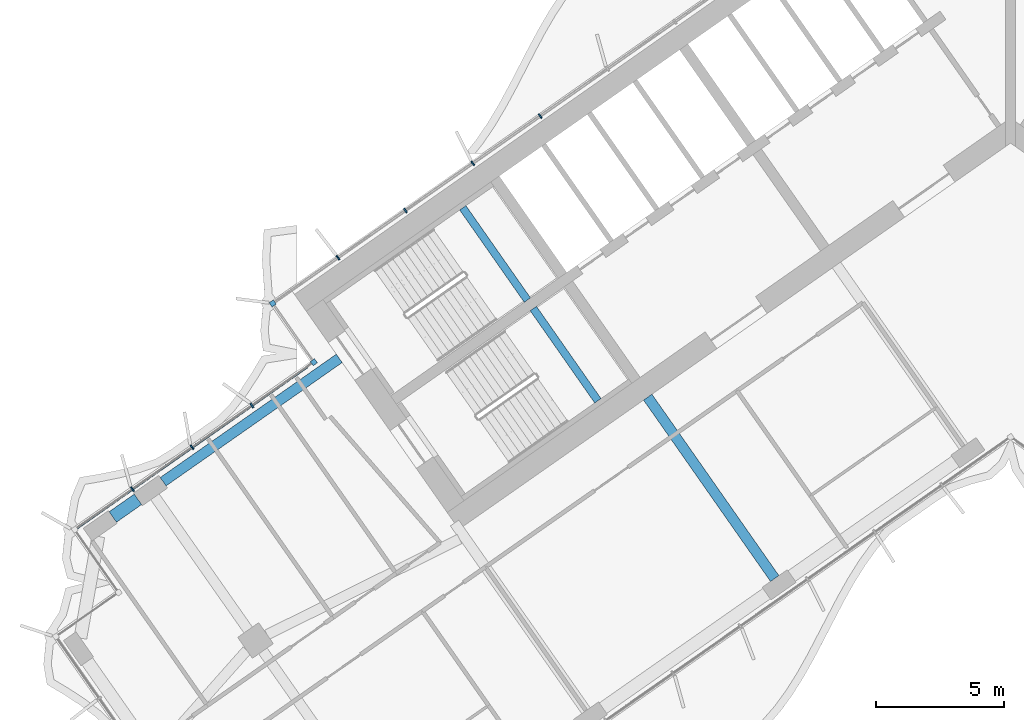
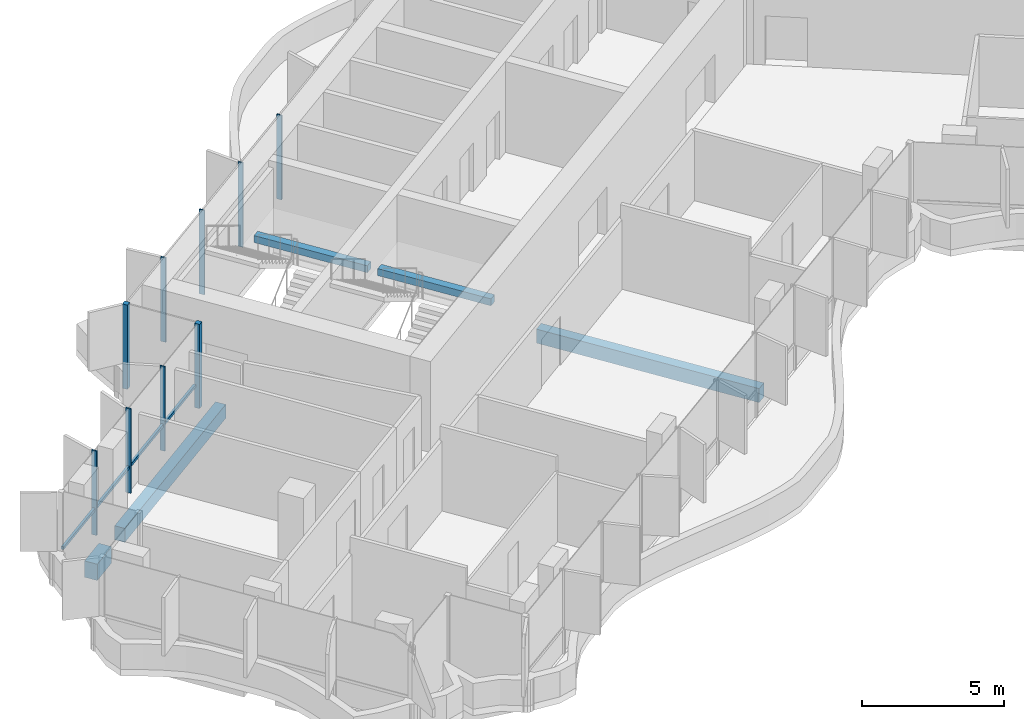
# One storey, part 4 of 23: 10 members, 5 beams, 2 elements without a shape of their own.
"""IFC4 building model written with IfcOpenShell, lengths in metres."""

from ifc_helpers import new_model, si_unit, direction, frame, origin, origin_2d, place, context, subcontext, project, spatial, rectangle, extrude, material, material_profile, profile_set, type_object, element, aggregate, save


model = new_model("IFC4")

# Units and contexts
model_context = context("Model", 3, precision=1e-05, world=origin(), true_north=direction((0.0, 1.0)))
body_context = subcontext(model_context, "Body", "Model", "MODEL_VIEW")
ifc_project = project(units=[si_unit("LENGTHUNIT", "METRE"), si_unit("AREAUNIT", "SQUARE_METRE"), si_unit("VOLUMEUNIT", "CUBIC_METRE"), si_unit("PLANEANGLEUNIT", "RADIAN"), si_unit("MASSUNIT", "GRAM", prefix="KILO")], contexts=[model_context])

# Site, building, storey
site_placement = place(None, origin())
site = spatial("IfcSite", under=ifc_project, at=site_placement, CompositionType="ELEMENT")
building_placement = place(site_placement, origin())
building = spatial("IfcBuilding", under=site, at=building_placement, Name="Tel Ilan Convention Tower", CompositionType="ELEMENT")
storey_placement = place(building_placement, frame((0.0, 0.0, 171.0)))
storey = spatial("IfcBuildingStorey", under=building, at=storey_placement, Name="L39", CompositionType="ELEMENT", Elevation=171.0)

# Beams
ifc_material_1 = material(Name="Concrete C40/50", Category="concrete")
ifc_material_profile_1 = material_profile(ifc_material_1, rectangle(XDim=0.39990234375, YDim=0.60009765625, at=origin_2d()), Name="RC 400x600")
ifc_profile_set_1 = profile_set([ifc_material_profile_1], Name="Concrete C40/50")
beam_type_1 = type_object("IfcBeamType", Name="Beam RC 400x600 Concrete C40/50", PredefinedType="BEAM", material=ifc_profile_set_1)
beam_1_placement = place(storey_placement, frame((-33.09912109375, -14.44775390625, -0.580078125), z_axis=(0.819147254605, 0.573583276668, 0.0), x_axis=(-0.573583276668, 0.819147254605, 0.0)))
element("IfcBeam", 1, at=beam_1_placement, inside=storey, type_object=beam_type_1, Name="L39 beam W-W-B4-core", PredefinedType="BEAM", context=body_context, shape_type="SweptSolid", body=[
    extrude(rectangle(XDim=0.39990234375, YDim=0.60009765625, at=origin_2d()), origin(), (0.0, 0.0, 1.0), 8.400146484375),
])
beam_2_placement = place(storey_placement, frame((-9.209716796875, -18.229248046875, -0.580078125), z_axis=(-0.573574099654, 0.819153680457, 0.0), x_axis=(-0.819153680457, -0.573574099654, 0.0)))
element("IfcBeam", 2, at=beam_2_placement, inside=storey, type_object=beam_type_1, Name="L39 beam W-W-F2-core", PredefinedType="BEAM", context=body_context, shape_type="SweptSolid", body=[
    extrude(rectangle(XDim=0.39990234375, YDim=0.60009765625, at=origin_2d()), origin(), (0.0, 0.0, 1.0), 8.64990234375),
])
ifc_material_2 = material(Name="Concrete C40/50", Category="concrete")
ifc_material_profile_2 = material_profile(ifc_material_2, rectangle(XDim=0.5, YDim=0.699951171875, at=origin_2d()), Name="RC 500x700")
ifc_profile_set_2 = profile_set([ifc_material_profile_2], Name="Concrete C40/50")
beam_type_2 = type_object("IfcBeamType", Name="Beam RC 500x700 Concrete C40/50", PredefinedType="BEAM", material=ifc_profile_set_2)
beam_3_placement = place(storey_placement, frame((-35.06494140625, -15.82421875, -0.6298828125), z_axis=(0.819155442668, 0.573571582932, 0.0), x_axis=(-0.573571582932, 0.819155442668, 0.0)))
element("IfcBeam", 3, at=beam_3_placement, inside=storey, type_object=beam_type_2, Name="L39 beam W-W-BC-W-B4", PredefinedType="BEAM", context=body_context, shape_type="SweptSolid", body=[
    extrude(rectangle(XDim=0.5, YDim=0.699951171875, at=origin_2d()), origin(), (0.0, 0.0, 1.0), 1.199951171875),
])

# Curtain wall, members
ifc_material_3 = material(Name="Aluminium, bronze anodised", Category="aluminium")
curtain_wall_type_1 = type_object("IfcCurtainWallType", Name="CW2 STICK CURTAIN WALL, SPANDREL PANELS", PredefinedType="NOTDEFINED", material=ifc_material_3)
curtain_wall_1_placement = place(storey_placement, origin())
curtain_wall_1 = element("IfcCurtainWall", 4, at=curtain_wall_1_placement, inside=storey, type_object=curtain_wall_type_1, Name="Curtain wall CW2-31.01", PredefinedType="NOTDEFINED")
ifc_material_4 = material(Name="Aluminium, bronze anodised", Category="aluminium")
ifc_material_profile_3 = material_profile(ifc_material_4, rectangle(XDim=0.199951171875, YDim=0.199951171875, at=origin_2d()), Name="CW CORNER MULLION 200x200")
ifc_profile_set_3 = profile_set([ifc_material_profile_3], Name="Aluminium, bronze anodised")
member_type_1 = type_object("IfcMemberType", Name="CW CORNER MULLION 200x200", PredefinedType="MULLION", material=ifc_profile_set_3)
member_1_placement = place(storey_placement, frame((-28.819580078125, -7.483642578125, 0.0), z_axis=(0.0, 0.0, 1.0), x_axis=(-0.819152044289, -0.573576436351, 0.0)))
member_1 = element("IfcMember", 5, at=member_1_placement, type_object=member_type_1, Name="Corner mullion", PredefinedType="MULLION", context=body_context, shape_type="SweptSolid", body=[
    extrude(rectangle(XDim=0.199951171875, YDim=0.199951171875, at=origin_2d()), origin(), (0.0, 0.0, 1.0), 3.6201171875),
])
member_2_placement = place(storey_placement, frame((-27.213623046875, -9.77734375, 0.0), z_axis=(0.0, 0.0, 1.0), x_axis=(0.573576436351, -0.819152044289, 0.0)))
member_2 = element("IfcMember", 6, at=member_2_placement, type_object=member_type_1, Name="Corner mullion", PredefinedType="MULLION", context=body_context, shape_type="SweptSolid", body=[
    extrude(rectangle(XDim=0.199951171875, YDim=0.199951171875, at=origin_2d()), origin(), (0.0, 0.0, 1.0), 3.6201171875),
])
ifc_material_5 = material(Name="Aluminium, bronze anodised", Category="aluminium")
ifc_material_profile_4 = material_profile(ifc_material_5, rectangle(XDim=0.06005859375, YDim=0.199951171875, at=origin_2d()), Name="CW MULLION 60x200")
ifc_profile_set_4 = profile_set([ifc_material_profile_4], Name="Aluminium, bronze anodised")
member_type_2 = type_object("IfcMemberType", Name="CW MULLION 60x200", PredefinedType="MULLION", material=ifc_profile_set_4)
member_3_placement = place(storey_placement, frame((-18.37109375, -0.16748046875, 0.0), z_axis=(0.0, 0.0, 1.0), x_axis=(-0.819152044289, -0.573576436351, 0.0)))
member_3 = element("IfcMember", 7, at=member_3_placement, type_object=member_type_2, Name="Mullion", PredefinedType="MULLION", context=body_context, shape_type="SweptSolid", body=[
    extrude(rectangle(XDim=0.06005859375, YDim=0.199951171875, at=origin_2d()), origin(), (0.0, 0.0, 1.0), 3.6201171875),
])
member_4_placement = place(storey_placement, frame((-21.003662109375, -2.0107421875, 0.0), z_axis=(0.0, 0.0, 1.0), x_axis=(-0.819152044289, -0.573576436351, 0.0)))
member_4 = element("IfcMember", 8, at=member_4_placement, type_object=member_type_2, Name="Mullion", PredefinedType="MULLION", context=body_context, shape_type="SweptSolid", body=[
    extrude(rectangle(XDim=0.06005859375, YDim=0.199951171875, at=origin_2d()), origin(), (0.0, 0.0, 1.0), 3.6201171875),
])
member_5_placement = place(storey_placement, frame((-23.63623046875, -3.854248046875, 0.0), z_axis=(0.0, 0.0, 1.0), x_axis=(-0.819152044289, -0.573576436351, 0.0)))
member_5 = element("IfcMember", 9, at=member_5_placement, type_object=member_type_2, Name="Mullion", PredefinedType="MULLION", context=body_context, shape_type="SweptSolid", body=[
    extrude(rectangle(XDim=0.06005859375, YDim=0.199951171875, at=origin_2d()), origin(), (0.0, 0.0, 1.0), 3.6201171875),
])
member_6_placement = place(storey_placement, frame((-26.268798828125, -5.697509765625, 0.0), z_axis=(0.0, 0.0, 1.0), x_axis=(-0.819152044289, -0.573576436351, 0.0)))
member_6 = element("IfcMember", 10, at=member_6_placement, type_object=member_type_2, Name="Mullion", PredefinedType="MULLION", context=body_context, shape_type="SweptSolid", body=[
    extrude(rectangle(XDim=0.06005859375, YDim=0.199951171875, at=origin_2d()), origin(), (0.0, 0.0, 1.0), 3.6201171875),
])
aggregate(curtain_wall_1, [member_3, member_4, member_5, member_6, member_1, member_2])

ifc_material_6 = material(Name="Aluminium, bronze anodised", Category="aluminium")
curtain_wall_type_2 = type_object("IfcCurtainWallType", Name="CW4 STICK CURTAIN WALL, OFFICE TINTED GLASS", PredefinedType="NOTDEFINED", material=ifc_material_6)
curtain_wall_2_placement = place(storey_placement, origin())
curtain_wall_2 = element("IfcCurtainWall", 11, at=curtain_wall_2_placement, inside=storey, type_object=curtain_wall_type_2, Name="Curtain wall CW4-31.02", PredefinedType="NOTDEFINED")
member_7_placement = place(storey_placement, frame((-29.630126953125, -11.46923828125, 0.0), z_axis=(0.0, 0.0, 1.0), x_axis=(-0.819152044289, -0.573576436351, 0.0)))
member_7 = element("IfcMember", 12, at=member_7_placement, type_object=member_type_2, Name="Mullion", PredefinedType="MULLION", context=body_context, shape_type="SweptSolid", body=[
    extrude(rectangle(XDim=0.06005859375, YDim=0.199951171875, at=origin_2d()), origin(), (0.0, 0.0, 1.0), 3.6201171875),
])
member_8_placement = place(storey_placement, frame((-31.964599609375, -13.10400390625, 0.0), z_axis=(0.0, 0.0, 1.0), x_axis=(-0.819152044289, -0.573576436351, 0.0)))
member_8 = element("IfcMember", 13, at=member_8_placement, type_object=member_type_2, Name="Mullion", PredefinedType="MULLION", context=body_context, shape_type="SweptSolid", body=[
    extrude(rectangle(XDim=0.06005859375, YDim=0.199951171875, at=origin_2d()), origin(), (0.0, 0.0, 1.0), 3.6201171875),
])
member_9_placement = place(storey_placement, frame((-34.299072265625, -14.73876953125, 0.0), z_axis=(0.0, 0.0, 1.0), x_axis=(-0.819152044289, -0.573576436351, 0.0)))
member_9 = element("IfcMember", 14, at=member_9_placement, type_object=member_type_2, Name="Mullion", PredefinedType="MULLION", context=body_context, shape_type="SweptSolid", body=[
    extrude(rectangle(XDim=0.06005859375, YDim=0.199951171875, at=origin_2d()), origin(), (0.0, 0.0, 1.0), 3.6201171875),
])
ifc_material_7 = material(Name="Aluminium, bronze anodised", Category="aluminium")
ifc_material_profile_5 = material_profile(ifc_material_7, rectangle(XDim=0.10009765625, YDim=0.1201171875, at=origin_2d()), Name="CW TRANSOM 100x120")
ifc_profile_set_5 = profile_set([ifc_material_profile_5], Name="Aluminium, bronze anodised")
member_type_3 = type_object("IfcMemberType", Name="CW TRANSOM 100x120", PredefinedType="USERDEFINED", material=ifc_profile_set_5)
member_10_placement = place(storey_placement, frame((-27.459228515625, -9.94921875, 1.10009765625), z_axis=(-0.819154753687, -0.57357256691, 0.0), x_axis=(0.57357256691, -0.819154753687, 0.0)))
member_10 = element("IfcMember", 15, at=member_10_placement, type_object=member_type_3, Name="Transom", ObjectType="TRANSOM", PredefinedType="USERDEFINED", context=body_context, shape_type="SweptSolid", body=[
    extrude(rectangle(XDim=0.10009765625, YDim=0.1201171875, at=origin_2d()), origin(), (0.0, 0.0, 1.0), 11.0),
])
aggregate(curtain_wall_2, [member_7, member_8, member_9, member_10])

# Beams
ifc_material_8 = material(Name="Concrete C40/50", Category="concrete")
ifc_material_profile_6 = material_profile(ifc_material_8, rectangle(XDim=0.300048828125, YDim=0.300048828125, at=origin_2d()), Name="RC 300x300")
ifc_profile_set_6 = profile_set([ifc_material_profile_6], Name="Concrete C40/50")
beam_type_3 = type_object("IfcBeamType", Name="Landing Beam RC 300x300 Concrete C40/50", PredefinedType="BEAM", material=ifc_profile_set_6)
beam_4_placement = place(storey_placement, frame((-18.870361328125, -7.353515625, 1.60009765625), z_axis=(-0.57354426506, 0.819174569928, 0.0), x_axis=(-0.819174569928, -0.57354426506, 0.0)))
element("IfcBeam", 16, at=beam_4_placement, inside=storey, type_object=beam_type_3, Name="S1 landing beam L39.1", PredefinedType="BEAM", context=body_context, shape_type="SweptSolid", body=[
    extrude(rectangle(XDim=0.300048828125, YDim=0.300048828125, at=origin_2d()), origin(), (0.0, 0.0, 1.0), 4.400146484375),
])
beam_5_placement = place(storey_placement, frame((-16.1171875, -11.285400390625, 1.60009765625), z_axis=(-0.573570334442, 0.819156316858, 0.0), x_axis=(-0.819156316858, -0.573570334442, 0.0)))
element("IfcBeam", 17, at=beam_5_placement, inside=storey, type_object=beam_type_3, Name="S2 landing beam L39.1", PredefinedType="BEAM", context=body_context, shape_type="SweptSolid", body=[
    extrude(rectangle(XDim=0.300048828125, YDim=0.300048828125, at=origin_2d()), origin(), (0.0, 0.0, 1.0), 4.39990234375),
])

save(model, "model.ifc")
